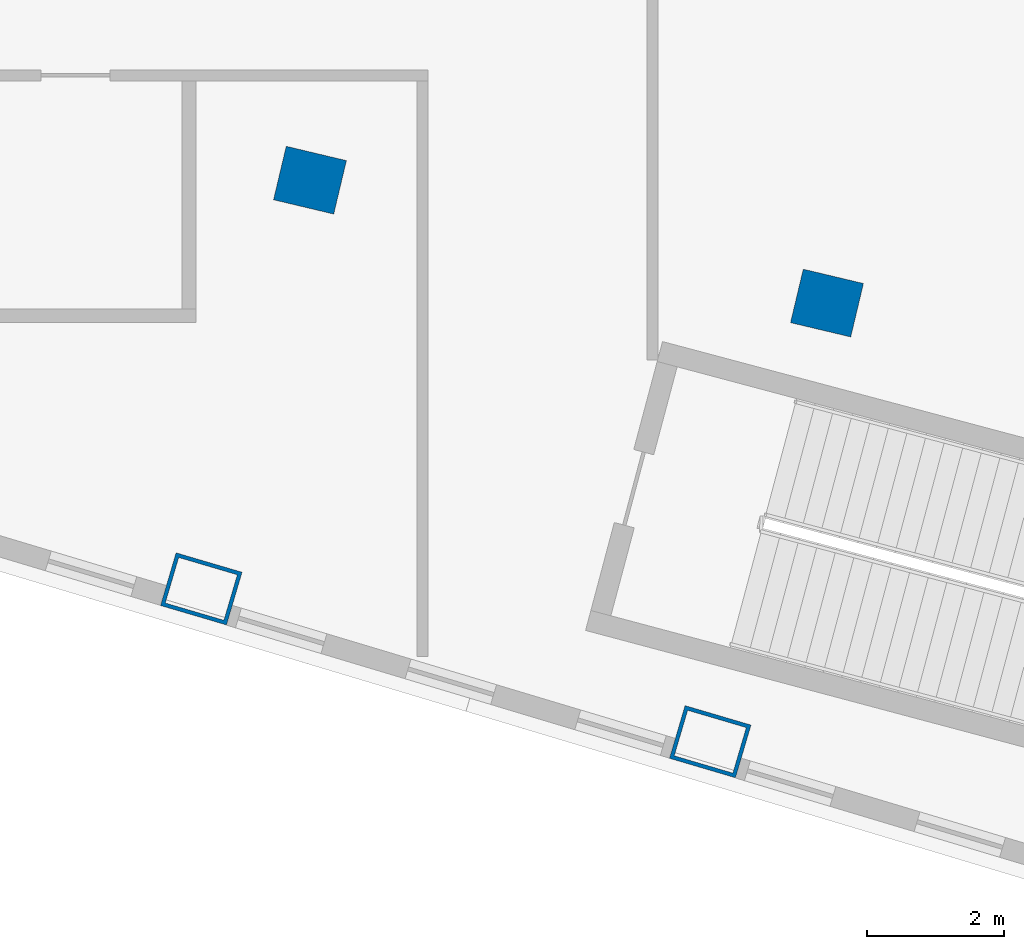
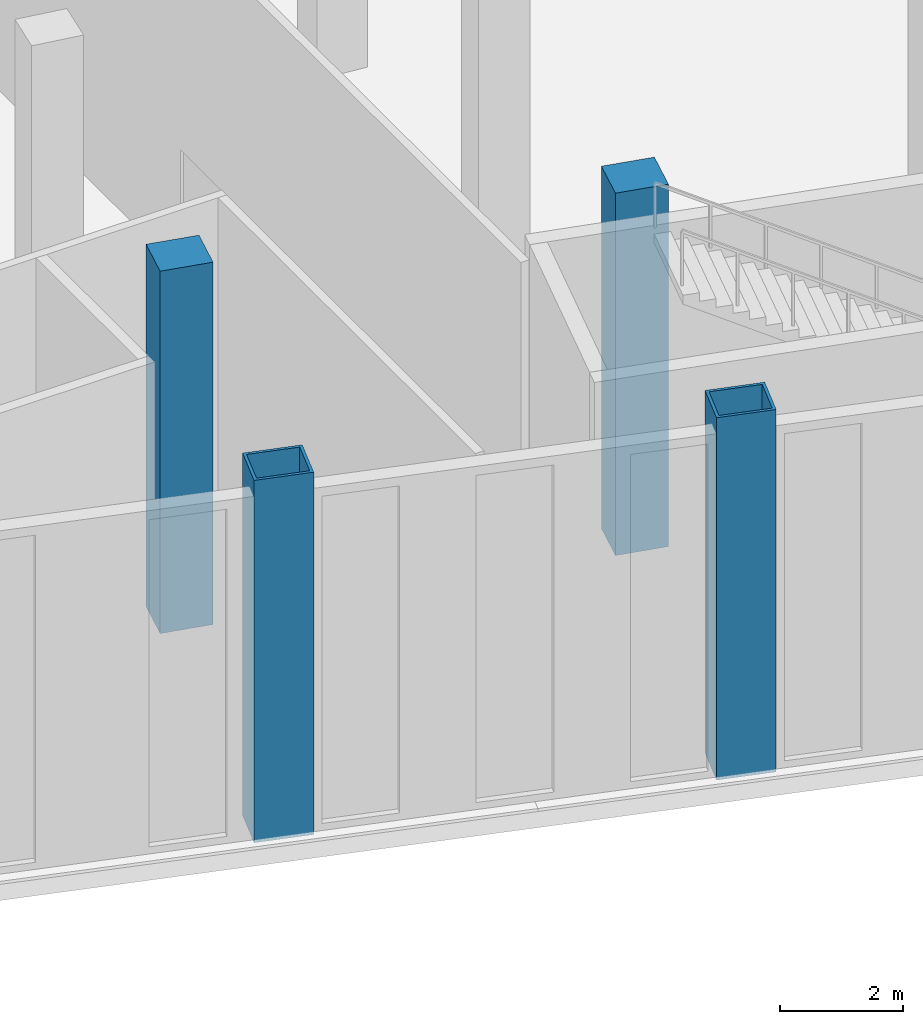
# One storey, part 2 of 26: 4 columns.
"""IFC4 building model written with IfcOpenShell, lengths in metres."""

from ifc_helpers import new_model, si_unit, direction, frame, origin, origin_2d, place, context, subcontext, project, spatial, rectangle, hollow_rectangle, extrude, material, material_profile, profile_set, type_object, element, save


model = new_model("IFC4")

# Units and contexts
model_context = context("Model", 3, precision=1e-05, world=origin(), true_north=direction((0.0, 1.0)))
body_context = subcontext(model_context, "Body", "Model", "MODEL_VIEW")
ifc_project = project(units=[si_unit("LENGTHUNIT", "METRE"), si_unit("AREAUNIT", "SQUARE_METRE"), si_unit("VOLUMEUNIT", "CUBIC_METRE"), si_unit("PLANEANGLEUNIT", "RADIAN"), si_unit("MASSUNIT", "GRAM", prefix="KILO")], contexts=[model_context])

# Site, building, storey
site_placement = place(None, origin())
site = spatial("IfcSite", under=ifc_project, at=site_placement, CompositionType="ELEMENT")
building_placement = place(site_placement, origin())
building = spatial("IfcBuilding", under=site, at=building_placement, Name="Alderwake Tower", CompositionType="ELEMENT")
storey_placement = place(building_placement, frame((0.0, 0.0, 182.0)))
storey = spatial("IfcBuildingStorey", under=building, at=storey_placement, Name="L45", CompositionType="ELEMENT", Elevation=182.0)

# Columns
ifc_material_1 = material(Name="Steel ASTM A572 Grade 50 concrete filled C70/85", Category="concrete")
ifc_material_profile_1 = material_profile(ifc_material_1, hollow_rectangle(XDim=0.800048828125, YDim=1.0, WallThickness=0.054931640625, at=origin_2d()), Name="BOX 1000X800X55")
ifc_profile_set_1 = profile_set([ifc_material_profile_1], Name="Steel ASTM A572 Grade 50 concrete filled C70/85")
column_type_1 = type_object("IfcColumnType", Name="End column Z3", PredefinedType="COLUMN", material=ifc_profile_set_1)
for number, where, z_axis, x_axis, name in (
    (1, (31.080322265625, 28.27685546875, 0.0), (0.0, 0.0, 1.0), (0.282582549822, 0.959242984095, 0.0), "Column R02-C2"),
    (2, (38.487060546875, 26.05322265625, 0.0), (0.0, 0.0, 1.0), (0.282893935167, 0.959151198428, 0.0), "Column R02-C3"),
):
    element("IfcColumn", number, at=place(storey_placement, frame(where, z_axis=z_axis, x_axis=x_axis)), inside=storey, type_object=column_type_1, Name=name, PredefinedType="COLUMN", context=body_context, shape_type="SweptSolid", body=[
        extrude(hollow_rectangle(XDim=0.800048828125, YDim=1.0, WallThickness=0.054931640625, at=origin_2d()), origin(), (0.0, 0.0, 1.0), 7.199951171875),
    ])
ifc_material_2 = material(Name="Concrete C70/85", Category="concrete")
ifc_material_profile_2 = material_profile(ifc_material_2, rectangle(XDim=0.800048828125, YDim=0.89990234375, at=origin_2d()), Name="RC 900X800")
ifc_profile_set_2 = profile_set([ifc_material_profile_2], Name="Concrete C70/85")
column_type_2 = type_object("IfcColumnType", Name="Interior column Z3", PredefinedType="COLUMN", material=ifc_profile_set_2)
for number, where, z_axis, x_axis, name in (
    (3, (32.661865234375, 34.224609375, 0.0), (0.0, 0.0, 1.0), (0.231221547198, 0.972901123502, 0.0), "Column R03-C2"),
    (4, (40.185791015625, 32.436279296875, 0.0), (0.0, 0.0, 1.0), (0.231221547198, 0.972901123502, 0.0), "Column R03-C3"),
):
    element("IfcColumn", number, at=place(storey_placement, frame(where, z_axis=z_axis, x_axis=x_axis)), inside=storey, type_object=column_type_2, Name=name, PredefinedType="COLUMN", context=body_context, shape_type="SweptSolid", body=[
        extrude(rectangle(XDim=0.800048828125, YDim=0.89990234375, at=origin_2d()), origin(), (0.0, 0.0, 1.0), 7.199951171875),
    ])

save(model, "model.ifc")
